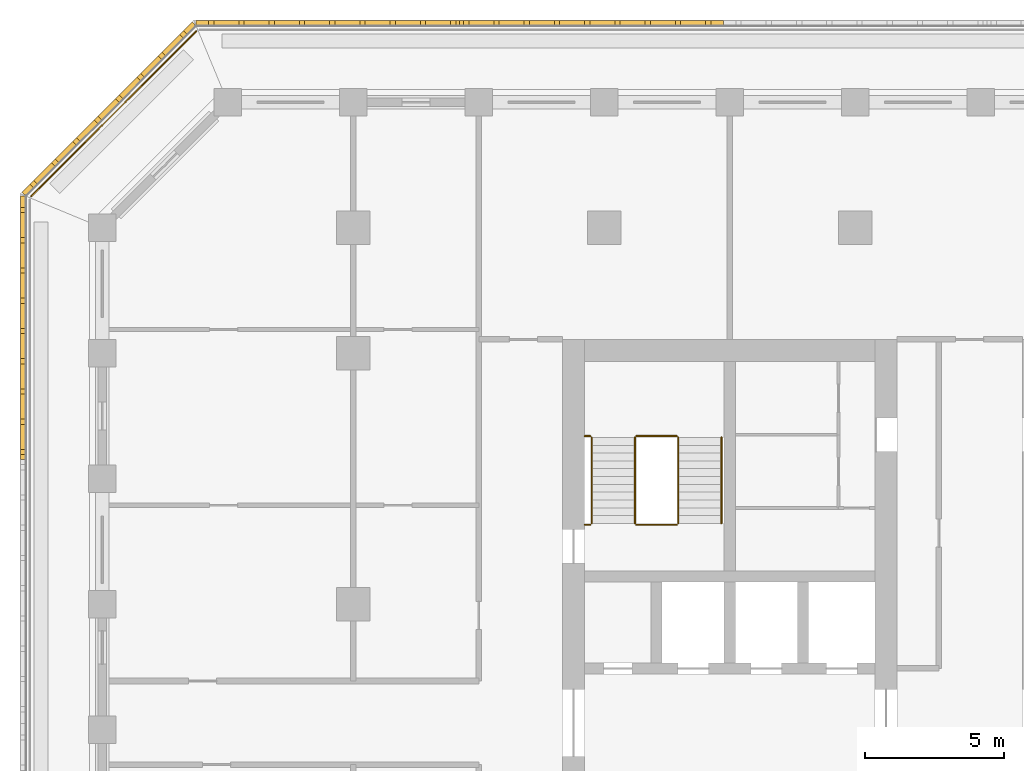
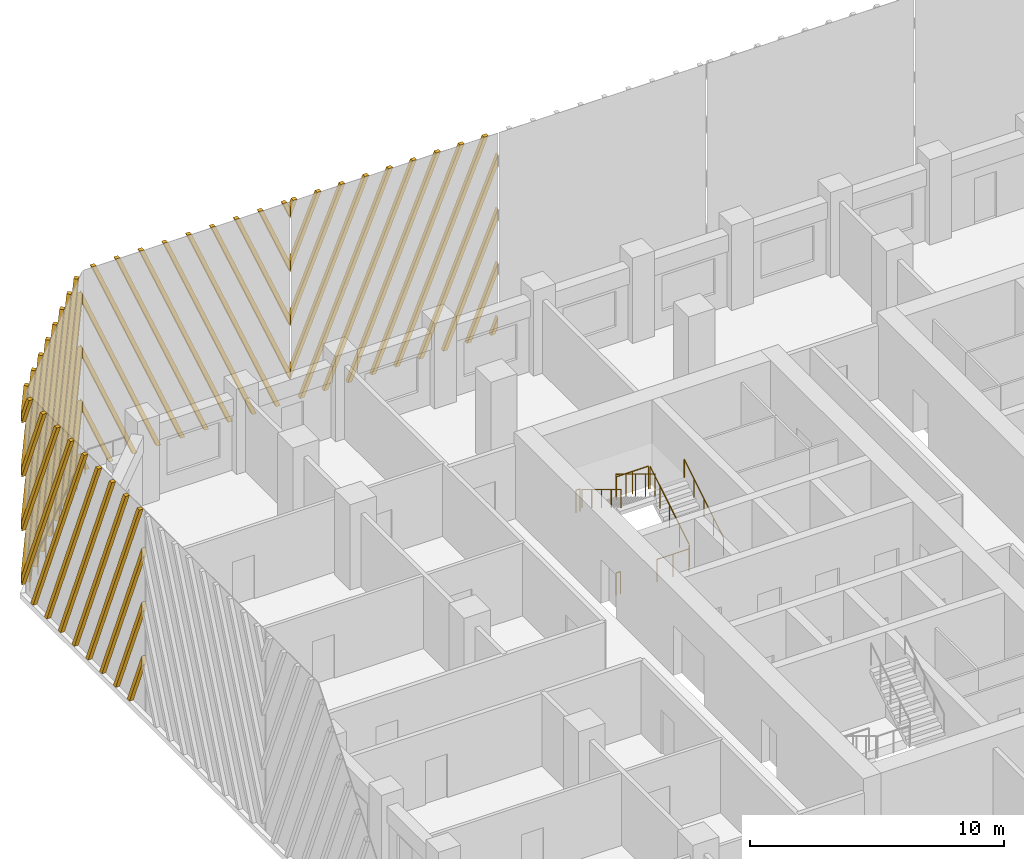
# One storey, part 15 of 18: 9 railings, 4 shading devices.
"""IFC4 building model written with IfcOpenShell, lengths in metres."""

import ifcopenshell
import ifcopenshell.guid

model = None  # the IFC model being written
_history = None  # IfcOwnerHistory: only IFC2X3 demands one
_inside = {}  # id of a spatial element -> (the spatial element, [elements in it])
_under = {}  # id of a project, library or spatial element -> (it, [spatial elements below it])
_declared = {}  # id of a project -> (the project, [libraries it declares])
_typed = {}  # id of a type object -> (the type object, [elements of that type])
_made_of = {}  # id of a material, layer set ... -> (it, [elements and type objects made of it])


def new_model(schema):
    """Start an empty IFC model of exactly this schema.

    Asked for "IFC4X3", IfcOpenShell would pick the latest addendum, in which some entities
    have other attributes; the version numbers below select the first issue.
    IFC2X3 requires an IfcOwnerHistory on every rooted entity: one is made here for all.
    """
    global model, _history
    if schema == "IFC4X3":
        model = ifcopenshell.file(schema_version=(4, 3, 0, 0))
    else:
        model = ifcopenshell.file(schema=schema)
    _inside.clear()
    _under.clear()
    _declared.clear()
    _typed.clear()
    _made_of.clear()
    _history = None
    if model.schema == "IFC2X3":
        org = make("IfcOrganization", Name="unknown")
        user = make(
            "IfcPersonAndOrganization",
            ThePerson=make("IfcPerson", FamilyName="unknown"),
            TheOrganization=org,
        )
        app = make(
            "IfcApplication",
            ApplicationDeveloper=org,
            Version="unknown",
            ApplicationFullName="unknown",
            ApplicationIdentifier="unknown",
        )
        _history = make(
            "IfcOwnerHistory",
            OwningUser=user,
            OwningApplication=app,
            ChangeAction="ADDED",
            CreationDate=0,
        )
    return model


def make(cls, **values):
    """One entity of the class cls with the attributes given. An attribute that is None is left unset."""
    return model.create_entity(
        cls, **{name: value for name, value in values.items() if value is not None}
    )


def rooted(cls, **values):
    """An entity with a GlobalId (a new one), such as an element, a storey or a relation."""
    return make(cls, GlobalId=ifcopenshell.guid.new(), OwnerHistory=_history, **values)


def si_unit(unit_type, name, prefix=None):
    """IfcSIUnit, for example si_unit("LENGTHUNIT", "METRE", prefix="MILLI")."""
    return make("IfcSIUnit", UnitType=unit_type, Prefix=prefix, Name=name)


def assignment(units):
    """IfcUnitAssignment: the units of a project."""
    return None if units is None else make("IfcUnitAssignment", Units=units)


def point(xyz):
    """IfcCartesianPoint."""
    return None if xyz is None else make("IfcCartesianPoint", Coordinates=xyz)


def direction(xyz):
    """IfcDirection."""
    return None if xyz is None else make("IfcDirection", DirectionRatios=xyz)


def frame(location, z_axis=None, x_axis=None):
    """IfcAxis2Placement3D, a coordinate frame: its origin and axes. An axis left out is left unset."""
    return make(
        "IfcAxis2Placement3D",
        Location=point(location),
        Axis=direction(z_axis),
        RefDirection=direction(x_axis),
    )


def frame_2d(location, x_axis=None):
    """IfcAxis2Placement2D, a coordinate frame in the plane: its origin and x axis."""
    return make(
        "IfcAxis2Placement2D", Location=point(location), RefDirection=direction(x_axis)
    )


def origin():
    """The frame at (0, 0, 0) with its axes left unset."""
    return frame((0.0, 0.0, 0.0))


def origin_2d():
    """The frame at (0, 0) in the plane with its x axis left unset."""
    return frame_2d((0.0, 0.0))


def place(relative_to, where):
    """IfcLocalPlacement: puts the frame where relative to a parent placement (None: the world)."""
    return make(
        "IfcLocalPlacement", PlacementRelTo=relative_to, RelativePlacement=where
    )


def context(
    kind, dimensions, precision=None, world=None, true_north=None, identifier=None
):
    """IfcGeometricRepresentationContext, for example the 3D "Model" context."""
    return make(
        "IfcGeometricRepresentationContext",
        ContextIdentifier=identifier,
        ContextType=kind,
        CoordinateSpaceDimension=dimensions,
        Precision=precision,
        WorldCoordinateSystem=world,
        TrueNorth=true_north,
    )


def subcontext(parent, identifier, kind, view, scale=None):
    """IfcGeometricRepresentationSubContext, for example "Body" below "Model"."""
    return make(
        "IfcGeometricRepresentationSubContext",
        ContextIdentifier=identifier,
        ContextType=kind,
        ParentContext=parent,
        TargetScale=scale,
        TargetView=view,
    )


def project(units=None, contexts=None):
    """IfcProject with its units and contexts."""
    return rooted(
        "IfcProject",
        Name="project",
        RepresentationContexts=contexts,
        UnitsInContext=assignment(units),
    )


def spatial(cls, under=None, at=None, **own):
    """A site, building, storey or space (cls), placed at a placement, below another one or the project."""
    s = rooted(cls, ObjectPlacement=at, **own)
    if under is not None:
        _under.setdefault(under.id(), (under, []))[1].append(s)
    return s


def polyline(points):
    """IfcPolyline through the points."""
    return make("IfcPolyline", Points=[point(p) for p in points])


def profile(cls, at=None, kind="AREA", **sizes):
    """A parametric profile (cls). Its sizes go by their IFC names, for example OverallWidth=200.0."""
    return make(cls, ProfileType=kind, Position=at, **sizes)


def circle(**sizes):
    """IfcCircleProfileDef."""
    return profile("IfcCircleProfileDef", **sizes)


def outline(outer, holes=None, kind="AREA"):
    """IfcArbitraryClosedProfileDef: a profile drawn as a closed curve; with holes, ...WithVoids."""
    if holes is None:
        return make("IfcArbitraryClosedProfileDef", ProfileType=kind, OuterCurve=outer)
    return make(
        "IfcArbitraryProfileDefWithVoids",
        ProfileType=kind,
        OuterCurve=outer,
        InnerCurves=holes,
    )


def extrude(swept, where, along, depth):
    """IfcExtrudedAreaSolid: the profile swept, set in the frame where, extruded along a direction by depth."""
    return make(
        "IfcExtrudedAreaSolid",
        SweptArea=swept,
        Position=where,
        ExtrudedDirection=direction(along),
        Depth=depth,
    )


def shape(context_of_items, identifier, shape_type, items):
    """IfcShapeRepresentation: the items that make up one representation, for example the "Body"."""
    return make(
        "IfcShapeRepresentation",
        ContextOfItems=context_of_items,
        RepresentationIdentifier=identifier,
        RepresentationType=shape_type,
        Items=items,
    )


def source(mapping_origin, context_of_items, identifier, shape_type, items):
    """IfcRepresentationMap: a shape defined once, which mapped items show again and again."""
    return make(
        "IfcRepresentationMap",
        MappingOrigin=mapping_origin,
        MappedRepresentation=shape(context_of_items, identifier, shape_type, items),
    )


def transform(
    local_origin,
    x_axis=None,
    y_axis=None,
    z_axis=None,
    scale=None,
    scale2=None,
    scale3=None,
    uniform=True,
):
    """IfcCartesianTransformationOperator3D, or its non-uniform kind. x_axis, y_axis, z_axis: its Axis1, 2, 3."""
    if uniform:
        return make(
            "IfcCartesianTransformationOperator3D",
            Axis1=direction(x_axis),
            Axis2=direction(y_axis),
            LocalOrigin=point(local_origin),
            Scale=scale,
            Axis3=direction(z_axis),
        )
    return make(
        "IfcCartesianTransformationOperator3DnonUniform",
        Axis1=direction(x_axis),
        Axis2=direction(y_axis),
        LocalOrigin=point(local_origin),
        Scale=scale,
        Axis3=direction(z_axis),
        Scale2=scale2,
        Scale3=scale3,
    )


def mapped(mapping_source, mapping_target):
    """IfcMappedItem: shows the shape of a source again, moved by a transform."""
    return make(
        "IfcMappedItem", MappingSource=mapping_source, MappingTarget=mapping_target
    )


def material(Name=None, Category=None):
    """IfcMaterial."""
    return make("IfcMaterial", Name=Name, Category=Category)


def made_of(thing, what):
    """Note that an element or type object is made of a material, layer set ...; save() writes the relation."""
    if what is not None:
        _made_of.setdefault(what.id(), (what, []))[1].append(thing)
    return thing


def type_object(cls, material=None, **own):
    """A type object (cls), such as IfcWallType, which elements share."""
    return made_of(rooted(cls, **own), material)


def element(
    cls,
    number,
    at=None,
    inside=None,
    cuts=None,
    type_object=None,
    material=None,
    context=None,
    identifier="Body",
    shape_type=None,
    held_by="IfcProductDefinitionShape",
    body=None,
    shapes=None,
    **own,
):
    """One element of the class cls, such as IfcWall. Its Tag is "e" and its number.

    at: its placement. inside: the storey or other place that contains it. cuts: it is an
    opening in that element (IfcRelVoidsElement). A single representation is given by context,
    identifier, shape_type and body (its items); several are given by shapes. held_by: the class
    of the entity that holds the representations. save() writes the other relations.
    """
    e = rooted(cls, Tag="e%d" % number, ObjectPlacement=at, **own)
    if body is not None:
        shapes = [shape(context, identifier, shape_type, body)]
    if shapes is not None:
        e.Representation = make(held_by, Representations=shapes)
    if inside is not None:
        _inside.setdefault(inside.id(), (inside, []))[1].append(e)
    if cuts is not None:
        rooted(
            "IfcRelVoidsElement", RelatingBuildingElement=cuts, RelatedOpeningElement=e
        )
    if type_object is not None:
        _typed.setdefault(type_object.id(), (type_object, []))[1].append(e)
    return made_of(e, material)


def aggregate(whole, parts):
    """IfcRelAggregates: a whole, such as a stair, and the parts it consists of."""
    return rooted("IfcRelAggregates", RelatingObject=whole, RelatedObjects=parts)


def save(model, path):
    """Write the relations noted so far, then the file.

    IfcRelAggregates (storeys below a building ...), IfcRelContainedInSpatialStructure (elements
    in a storey), IfcRelDefinesByType, IfcRelAssociatesMaterial and IfcRelDeclares: one each for
    every whole, place, type object, material and project.
    """
    for whole, parts in _under.values():
        aggregate(whole, parts)
    for where, things in _inside.values():
        rooted(
            "IfcRelContainedInSpatialStructure",
            RelatedElements=things,
            RelatingStructure=where,
        )
    for kind, things in _typed.values():
        rooted("IfcRelDefinesByType", RelatedObjects=things, RelatingType=kind)
    for what, things in _made_of.values():
        rooted("IfcRelAssociatesMaterial", RelatedObjects=things, RelatingMaterial=what)
    for by, libraries in _declared.values():
        rooted("IfcRelDeclares", RelatingContext=by, RelatedDefinitions=libraries)
    model.write(path)


model = new_model("IFC4")

# Units and contexts
model_context = context("Model", 3, precision=1e-05, world=origin(), true_north=direction((0.0, 1.0)))
body_context = subcontext(model_context, "Body", "Model", "MODEL_VIEW")
ifc_project = project(units=[si_unit("LENGTHUNIT", "METRE"), si_unit("AREAUNIT", "SQUARE_METRE"), si_unit("VOLUMEUNIT", "CUBIC_METRE"), si_unit("PLANEANGLEUNIT", "RADIAN"), si_unit("MASSUNIT", "GRAM", prefix="KILO")], contexts=[model_context])

# Site, building, storey
site_placement = place(None, origin())
site = spatial("IfcSite", under=ifc_project, at=site_placement, CompositionType="ELEMENT")
building_placement = place(site_placement, origin())
building = spatial("IfcBuilding", under=site, at=building_placement, Name="Corbel Stack Research Tower", CompositionType="ELEMENT")
storey_placement = place(building_placement, frame((0.0, 0.0, 181.39990234375)))
storey = spatial("IfcBuildingStorey", under=building, at=storey_placement, Name="L41", CompositionType="ELEMENT", Elevation=181.39990234375)

# Railings
ifc_material_1 = material(Name="Steel S355", Category="steel")
railing_type_1 = type_object("IfcRailingType", Name="Stair guard 1100", PredefinedType="GUARDRAIL", material=ifc_material_1)
railing_1_placement = place(storey_placement, frame((-6.35009765625, 11.89990234375, 0.1708984375)))
element("IfcRailing", 1, at=railing_1_placement, inside=storey, type_object=railing_type_1, Name="L41 ST-W2 stair guard 1", PredefinedType="GUARDRAIL", context=body_context, shape_type="SweptSolid", body=[
    extrude(circle(Radius=0.02392578125, at=origin_2d()), frame((0.0, 0.0, 1.076171875), z_axis=(0.0, 0.853666305674, 0.52082035152), x_axis=(-1.0, 0.0, 0.0)), (0.0, 0.0, 1.0), 3.608154296875),
    extrude(circle(Radius=0.02099609375, at=origin_2d()), origin(), (0.0, 0.0, 1.0), 1.052001953125),
    extrude(circle(Radius=0.02099609375, at=origin_2d()), frame((0.0, 0.77001953125, 0.4697265625)), (0.0, 0.0, 1.0), 1.052001953125),
    extrude(circle(Radius=0.02099609375, at=origin_2d()), frame((0.0, 1.5400390625, 0.939453125)), (0.0, 0.0, 1.0), 1.052001953125),
    extrude(circle(Radius=0.02099609375, at=origin_2d()), frame((0.0, 2.31005859375, 1.409423828125)), (0.0, 0.0, 1.0), 1.052001953125),
    extrude(circle(Radius=0.02099609375, at=origin_2d()), frame((0.0, 3.080078125, 1.879150390625)), (0.0, 0.0, 1.0), 1.052001953125),
])
railing_2_placement = place(storey_placement, frame((-6.39990234375, 15.030029296875, 2.050048828125)))
element("IfcRailing", 2, at=railing_2_placement, inside=storey, type_object=railing_type_1, Name="L41 ST-W2 stair guard 2", PredefinedType="GUARDRAIL", context=body_context, shape_type="SweptSolid", body=[
    extrude(circle(Radius=0.02392578125, at=origin_2d()), frame((0.0, 0.0, 1.076171875), z_axis=(-1.0, 0.0, 0.0), x_axis=(0.0, -1.0, 0.0)), (0.0, 0.0, 1.0), 1.4501953125),
    extrude(circle(Radius=0.02099609375, at=origin_2d()), origin(), (0.0, 0.0, 1.0), 1.052001953125),
    extrude(circle(Radius=0.02099609375, at=origin_2d()), frame((-0.72509765625, 0.0, 0.0)), (0.0, 0.0, 1.0), 1.052001953125),
    extrude(circle(Radius=0.02099609375, at=origin_2d()), frame((-1.4501953125, 0.0, 0.0)), (0.0, 0.0, 1.0), 1.052001953125),
])
railing_3_placement = place(storey_placement, frame((-9.5, 15.030029296875, 2.050048828125)))
element("IfcRailing", 3, at=railing_3_placement, inside=storey, type_object=railing_type_1, Name="L41 ST-W2 stair guard 3", PredefinedType="GUARDRAIL", context=body_context, shape_type="SweptSolid", body=[
    extrude(circle(Radius=0.02392578125, at=origin_2d()), frame((0.0, 0.0, 1.076171875), z_axis=(-1.0, 0.0, 0.0), x_axis=(0.0, -1.0, 0.0)), (0.0, 0.0, 1.0), 0.199951171875),
    extrude(circle(Radius=0.02099609375, at=origin_2d()), origin(), (0.0, 0.0, 1.0), 1.052001953125),
    extrude(circle(Radius=0.02099609375, at=origin_2d()), frame((-0.199951171875, 0.0, 0.0)), (0.0, 0.0, 1.0), 1.052001953125),
])
railing_4_placement = place(storey_placement, frame((-7.89990234375, 14.97998046875, 2.220947265625)))
element("IfcRailing", 4, at=railing_4_placement, inside=storey, type_object=railing_type_1, Name="L41 ST-W2 stair guard 4", PredefinedType="GUARDRAIL", context=body_context, shape_type="SweptSolid", body=[
    extrude(circle(Radius=0.02392578125, at=origin_2d()), frame((0.0, 0.0, 1.076171875), z_axis=(0.0, -0.853666305674, 0.52082035152), x_axis=(1.0, 0.0, 0.0)), (0.0, 0.0, 1.0), 3.608154296875),
    extrude(circle(Radius=0.02099609375, at=origin_2d()), origin(), (0.0, 0.0, 1.0), 1.052001953125),
    extrude(circle(Radius=0.02099609375, at=origin_2d()), frame((0.0, -0.77001953125, 0.4697265625)), (0.0, 0.0, 1.0), 1.052001953125),
    extrude(circle(Radius=0.02099609375, at=origin_2d()), frame((0.0, -1.5400390625, 0.939453125)), (0.0, 0.0, 1.0), 1.052001953125),
    extrude(circle(Radius=0.02099609375, at=origin_2d()), frame((0.0, -2.31005859375, 1.409423828125)), (0.0, 0.0, 1.0), 1.052001953125),
    extrude(circle(Radius=0.02099609375, at=origin_2d()), frame((0.0, -3.080078125, 1.879150390625)), (0.0, 0.0, 1.0), 1.052001953125),
])
railing_5_placement = place(storey_placement, frame((-6.39990234375, 11.85009765625, 0.0)))
element("IfcRailing", 5, at=railing_5_placement, inside=storey, type_object=railing_type_1, Name="L41 ST-W2 stair guard 5", PredefinedType="GUARDRAIL", context=body_context, shape_type="SweptSolid", body=[
    extrude(circle(Radius=0.02392578125, at=origin_2d()), frame((0.0, 0.0, 1.076171875), z_axis=(-1.0, 0.0, 0.0), x_axis=(0.0, -1.0, 0.0)), (0.0, 0.0, 1.0), 1.4501953125),
    extrude(circle(Radius=0.02099609375, at=origin_2d()), origin(), (0.0, 0.0, 1.0), 1.052001953125),
    extrude(circle(Radius=0.02099609375, at=origin_2d()), frame((-0.72509765625, 0.0, 0.0)), (0.0, 0.0, 1.0), 1.052001953125),
    extrude(circle(Radius=0.02099609375, at=origin_2d()), frame((-1.4501953125, 0.0, 0.0)), (0.0, 0.0, 1.0), 1.052001953125),
])
railing_6_placement = place(storey_placement, frame((-9.5, 11.85009765625, 0.0)))
element("IfcRailing", 6, at=railing_6_placement, inside=storey, type_object=railing_type_1, Name="L41 ST-W2 stair guard 6", PredefinedType="GUARDRAIL", context=body_context, shape_type="SweptSolid", body=[
    extrude(circle(Radius=0.02392578125, at=origin_2d()), frame((0.0, 0.0, 1.076171875), z_axis=(-1.0, 0.0, 0.0), x_axis=(0.0, -1.0, 0.0)), (0.0, 0.0, 1.0), 0.199951171875),
    extrude(circle(Radius=0.02099609375, at=origin_2d()), origin(), (0.0, 0.0, 1.0), 1.052001953125),
    extrude(circle(Radius=0.02099609375, at=origin_2d()), frame((-0.199951171875, 0.0, 0.0)), (0.0, 0.0, 1.0), 1.052001953125),
])
ifc_material_2 = material(Name="Steel S355", Category="steel")
railing_type_2 = type_object("IfcRailingType", Name="Stair handrail 900", PredefinedType="HANDRAIL", material=ifc_material_2)
railing_7_placement = place(storey_placement, frame((-4.800048828125, 11.89990234375, 0.1708984375)))
element("IfcRailing", 7, at=railing_7_placement, inside=storey, type_object=railing_type_2, Name="L41 ST-W2 stair handrail 1", PredefinedType="HANDRAIL", context=body_context, shape_type="SweptSolid", body=[
    extrude(circle(Radius=0.02392578125, at=origin_2d()), frame((0.0, 0.0, 0.8759765625), z_axis=(0.0, 0.853666305674, 0.52082035152), x_axis=(-1.0, 0.0, 0.0)), (0.0, 0.0, 1.0), 3.608154296875),
    extrude(circle(Radius=0.02099609375, at=origin_2d()), origin(), (0.0, 0.0, 1.0), 0.851806640625),
    extrude(circle(Radius=0.02099609375, at=origin_2d()), frame((0.0, 0.77001953125, 0.4697265625)), (0.0, 0.0, 1.0), 0.851806640625),
    extrude(circle(Radius=0.02099609375, at=origin_2d()), frame((0.0, 1.5400390625, 0.939453125)), (0.0, 0.0, 1.0), 0.851806640625),
    extrude(circle(Radius=0.02099609375, at=origin_2d()), frame((0.0, 2.31005859375, 1.409423828125)), (0.0, 0.0, 1.0), 0.851806640625),
    extrude(circle(Radius=0.02099609375, at=origin_2d()), frame((0.0, 3.080078125, 1.879150390625)), (0.0, 0.0, 1.0), 0.851806640625),
])
railing_8_placement = place(storey_placement, frame((-9.449951171875, 14.97998046875, 2.220947265625)))
element("IfcRailing", 8, at=railing_8_placement, inside=storey, type_object=railing_type_2, Name="L41 ST-W2 stair handrail 2", PredefinedType="HANDRAIL", context=body_context, shape_type="SweptSolid", body=[
    extrude(circle(Radius=0.02392578125, at=origin_2d()), frame((0.0, 0.0, 0.8759765625), z_axis=(0.0, -0.853666305674, 0.52082035152), x_axis=(1.0, 0.0, 0.0)), (0.0, 0.0, 1.0), 3.608154296875),
    extrude(circle(Radius=0.02099609375, at=origin_2d()), origin(), (0.0, 0.0, 1.0), 0.851806640625),
    extrude(circle(Radius=0.02099609375, at=origin_2d()), frame((0.0, -0.77001953125, 0.4697265625)), (0.0, 0.0, 1.0), 0.851806640625),
    extrude(circle(Radius=0.02099609375, at=origin_2d()), frame((0.0, -1.5400390625, 0.939453125)), (0.0, 0.0, 1.0), 0.851806640625),
    extrude(circle(Radius=0.02099609375, at=origin_2d()), frame((0.0, -2.31005859375, 1.409423828125)), (0.0, 0.0, 1.0), 0.851806640625),
    extrude(circle(Radius=0.02099609375, at=origin_2d()), frame((0.0, -3.080078125, 1.879150390625)), (0.0, 0.0, 1.0), 0.851806640625),
])
ifc_material_3 = material(Name="Powder-coated steel guard", Category="steel")
railing_type_3 = type_object("IfcRailingType", Name="Steel and glass guard 1100", PredefinedType="GUARDRAIL", material=ifc_material_3)
railing_9_placement = place(storey_placement, frame((-23.627685546875, 29.54931640625, 0.0)))
element("IfcRailing", 9, at=railing_9_placement, inside=storey, type_object=railing_type_3, Name="Loggia guard L41 NW", PredefinedType="GUARDRAIL", context=body_context, shape_type="SweptSolid", body=[
    extrude(circle(Radius=0.02392578125, at=origin_2d()), frame((0.0, 0.0, 1.076171875), z_axis=(-0.707106781187, -0.707106781187, 0.0), x_axis=(0.707106781187, -0.707106781187, 0.0)), (0.0, 0.0, 1.0), 8.37451171875),
    extrude(circle(Radius=0.02099609375, at=origin_2d()), origin(), (0.0, 0.0, 1.0), 1.052001953125),
    extrude(circle(Radius=0.02099609375, at=origin_2d()), frame((-0.845947265625, -0.845947265625, 0.0)), (0.0, 0.0, 1.0), 1.052001953125),
    extrude(circle(Radius=0.02099609375, at=origin_2d()), frame((-1.69189453125, -1.69189453125, 0.0)), (0.0, 0.0, 1.0), 1.052001953125),
    extrude(circle(Radius=0.02099609375, at=origin_2d()), frame((-2.537841796875, -2.537841796875, 0.0)), (0.0, 0.0, 1.0), 1.052001953125),
    extrude(circle(Radius=0.02099609375, at=origin_2d()), frame((-3.3837890625, -3.3837890625, 0.0)), (0.0, 0.0, 1.0), 1.052001953125),
    extrude(circle(Radius=0.02099609375, at=origin_2d()), frame((-4.229736328125, -4.229736328125, 0.0)), (0.0, 0.0, 1.0), 1.052001953125),
    extrude(circle(Radius=0.02099609375, at=origin_2d()), frame((-5.07568359375, -5.07568359375, 0.0)), (0.0, 0.0, 1.0), 1.052001953125),
    extrude(circle(Radius=0.02099609375, at=origin_2d()), frame((-5.921630859375, -5.921630859375, 0.0)), (0.0, 0.0, 1.0), 1.052001953125),
])

# Shading devices
ifc_material_4 = material(Name="Precast terracotta", Category="masonry")
shading_device_type = type_object("IfcShadingDeviceType", Name="Terracotta screen panel", PredefinedType="USERDEFINED", material=ifc_material_4)
shared_shape_1 = source(origin(), body_context, "Body", "SweptSolid", [
    extrude(outline(polyline([(0.328857421875, 9.64990234375), (0.138916015625, 9.64990234375), (0.0, 9.317626953125), (0.0, 8.862548828125), (0.328857421875, 9.64990234375)])), frame((0.0, 0.0, 0.0), z_axis=(0.0, -1.0, 0.0), x_axis=(1.0, 0.0, 0.0)), (0.0, 0.0, 1.0), 0.179931640625),
    extrude(outline(polyline([(1.41357421875, 9.64990234375), (1.223388671875, 9.64990234375), (0.0, 6.720458984375), (0.0, 6.265380859375), (1.41357421875, 9.64990234375)])), frame((0.0, 0.0, 0.0), z_axis=(0.0, -1.0, 0.0), x_axis=(1.0, 0.0, 0.0)), (0.0, 0.0, 1.0), 0.179931640625),
    extrude(outline(polyline([(2.498291015625, 9.64990234375), (2.30810546875, 9.64990234375), (0.0, 4.123291015625), (0.0, 3.668212890625), (2.498291015625, 9.64990234375)])), frame((0.0, 0.0, 0.0), z_axis=(0.0, -1.0, 0.0), x_axis=(1.0, 0.0, 0.0)), (0.0, 0.0, 1.0), 0.179931640625),
    extrude(outline(polyline([(3.582763671875, 9.64990234375), (3.392822265625, 9.64990234375), (0.0, 1.526123046875), (0.0, 1.071044921875), (3.582763671875, 9.64990234375)])), frame((0.0, 0.0, 0.0), z_axis=(0.0, -1.0, 0.0), x_axis=(1.0, 0.0, 0.0)), (0.0, 0.0, 1.0), 0.179931640625),
    extrude(outline(polyline([(0.63720703125, 0.0), (4.66748046875, 9.64990234375), (4.4775390625, 9.64990234375), (0.447265625, 0.0), (0.63720703125, 0.0)])), frame((0.0, 0.0, 0.0), z_axis=(0.0, -1.0, 0.0), x_axis=(1.0, 0.0, 0.0)), (0.0, 0.0, 1.0), 0.179931640625),
    extrude(outline(polyline([(1.721923828125, 0.0), (5.752197265625, 9.64990234375), (5.562255859375, 9.64990234375), (1.531982421875, 0.0), (1.721923828125, 0.0)])), frame((0.0, 0.0, 0.0), z_axis=(0.0, -1.0, 0.0), x_axis=(1.0, 0.0, 0.0)), (0.0, 0.0, 1.0), 0.179931640625),
    extrude(outline(polyline([(2.806640625, 0.0), (6.8369140625, 9.64990234375), (6.646728515625, 9.64990234375), (2.61669921875, 0.0), (2.806640625, 0.0)])), frame((0.0, 0.0, 0.0), z_axis=(0.0, -1.0, 0.0), x_axis=(1.0, 0.0, 0.0)), (0.0, 0.0, 1.0), 0.179931640625),
    extrude(outline(polyline([(3.891357421875, 0.0), (7.92138671875, 9.64990234375), (7.7314453125, 9.64990234375), (3.701416015625, 0.0), (3.891357421875, 0.0)])), frame((0.0, 0.0, 0.0), z_axis=(0.0, -1.0, 0.0), x_axis=(1.0, 0.0, 0.0)), (0.0, 0.0, 1.0), 0.179931640625),
    extrude(outline(polyline([(4.97607421875, 0.0), (9.006103515625, 9.64990234375), (8.816162109375, 9.64990234375), (4.785888671875, 0.0), (4.97607421875, 0.0)])), frame((0.0, 0.0, 0.0), z_axis=(0.0, -1.0, 0.0), x_axis=(1.0, 0.0, 0.0)), (0.0, 0.0, 1.0), 0.179931640625),
    extrude(outline(polyline([(6.060791015625, 0.0), (9.45556640625, 8.129150390625), (9.45556640625, 8.583984375), (5.87060546875, 0.0), (6.060791015625, 0.0)])), frame((0.0, 0.0, 0.0), z_axis=(0.0, -1.0, 0.0), x_axis=(1.0, 0.0, 0.0)), (0.0, 0.0, 1.0), 0.179931640625),
    extrude(outline(polyline([(7.145263671875, 0.0), (9.45556640625, 5.531982421875), (9.45556640625, 5.98681640625), (6.955322265625, 0.0), (7.145263671875, 0.0)])), frame((0.0, 0.0, 0.0), z_axis=(0.0, -1.0, 0.0), x_axis=(1.0, 0.0, 0.0)), (0.0, 0.0, 1.0), 0.179931640625),
    extrude(outline(polyline([(8.22998046875, 0.0), (9.45556640625, 2.934814453125), (9.45556640625, 3.3896484375), (8.0400390625, 0.0), (8.22998046875, 0.0)])), frame((0.0, 0.0, 0.0), z_axis=(0.0, -1.0, 0.0), x_axis=(1.0, 0.0, 0.0)), (0.0, 0.0, 1.0), 0.179931640625),
    extrude(outline(polyline([(9.314697265625, 0.0), (9.45556640625, 0.337646484375), (9.45556640625, 0.79248046875), (9.124755859375, 0.0), (9.314697265625, 0.0)])), frame((0.0, 0.0, 0.0), z_axis=(0.0, -1.0, 0.0), x_axis=(1.0, 0.0, 0.0)), (0.0, 0.0, 1.0), 0.179931640625),
])
shading_device_1_placement = place(storey_placement, frame((-14.18359375, 29.75, 0.0), z_axis=(0.0, 0.0, 1.0), x_axis=(-1.0, 0.0, 0.0)))
element("IfcShadingDevice", 10, at=shading_device_1_placement, inside=storey, type_object=shading_device_type, Name="Terracotta screen L41 N5", ObjectType="SCREEN", PredefinedType="USERDEFINED", context=body_context, shape_type="MappedRepresentation", body=[
    mapped(shared_shape_1, transform((0.0, 0.0, 0.0))),
])
shared_shape_2 = source(origin(), body_context, "Body", "SweptSolid", [
    extrude(outline(polyline([(0.3310546875, 0.0), (0.0, 0.79248046875), (0.0, 0.337646484375), (0.14111328125, 0.0), (0.3310546875, 0.0)])), frame((0.0, 0.0, 0.0), z_axis=(0.0, -1.0, 0.0), x_axis=(1.0, 0.0, 0.0)), (0.0, 0.0, 1.0), 0.179931640625),
    extrude(outline(polyline([(1.41552734375, 0.0), (0.0, 3.3896484375), (0.0, 2.934814453125), (1.2255859375, 0.0), (1.41552734375, 0.0)])), frame((0.0, 0.0, 0.0), z_axis=(0.0, -1.0, 0.0), x_axis=(1.0, 0.0, 0.0)), (0.0, 0.0, 1.0), 0.179931640625),
    extrude(outline(polyline([(2.500244140625, 0.0), (0.0, 5.98681640625), (0.0, 5.531982421875), (2.310302734375, 0.0), (2.500244140625, 0.0)])), frame((0.0, 0.0, 0.0), z_axis=(0.0, -1.0, 0.0), x_axis=(1.0, 0.0, 0.0)), (0.0, 0.0, 1.0), 0.179931640625),
    extrude(outline(polyline([(3.5849609375, 0.0), (0.0, 8.583984375), (0.0, 8.129150390625), (3.39501953125, 0.0), (3.5849609375, 0.0)])), frame((0.0, 0.0, 0.0), z_axis=(0.0, -1.0, 0.0), x_axis=(1.0, 0.0, 0.0)), (0.0, 0.0, 1.0), 0.179931640625),
    extrude(outline(polyline([(4.669677734375, 0.0), (0.639404296875, 9.64990234375), (0.449462890625, 9.64990234375), (4.4794921875, 0.0), (4.669677734375, 0.0)])), frame((0.0, 0.0, 0.0), z_axis=(0.0, -1.0, 0.0), x_axis=(1.0, 0.0, 0.0)), (0.0, 0.0, 1.0), 0.179931640625),
    extrude(outline(polyline([(5.75439453125, 0.0), (1.72412109375, 9.64990234375), (1.5341796875, 9.64990234375), (5.564208984375, 0.0), (5.75439453125, 0.0)])), frame((0.0, 0.0, 0.0), z_axis=(0.0, -1.0, 0.0), x_axis=(1.0, 0.0, 0.0)), (0.0, 0.0, 1.0), 0.179931640625),
    extrude(outline(polyline([(6.839111328125, 0.0), (2.808837890625, 9.64990234375), (2.618896484375, 9.64990234375), (6.64892578125, 0.0), (6.839111328125, 0.0)])), frame((0.0, 0.0, 0.0), z_axis=(0.0, -1.0, 0.0), x_axis=(1.0, 0.0, 0.0)), (0.0, 0.0, 1.0), 0.179931640625),
    extrude(outline(polyline([(7.923583984375, 0.0), (3.8935546875, 9.64990234375), (3.70361328125, 9.64990234375), (7.733642578125, 0.0), (7.923583984375, 0.0)])), frame((0.0, 0.0, 0.0), z_axis=(0.0, -1.0, 0.0), x_axis=(1.0, 0.0, 0.0)), (0.0, 0.0, 1.0), 0.179931640625),
    extrude(outline(polyline([(9.00830078125, 0.0), (4.97802734375, 9.64990234375), (4.7880859375, 9.64990234375), (8.818359375, 0.0), (9.00830078125, 0.0)])), frame((0.0, 0.0, 0.0), z_axis=(0.0, -1.0, 0.0), x_axis=(1.0, 0.0, 0.0)), (0.0, 0.0, 1.0), 0.179931640625),
    extrude(outline(polyline([(6.062744140625, 9.64990234375), (5.872802734375, 9.64990234375), (9.45556640625, 1.071044921875), (9.45556640625, 1.526123046875), (6.062744140625, 9.64990234375)])), frame((0.0, 0.0, 0.0), z_axis=(0.0, -1.0, 0.0), x_axis=(1.0, 0.0, 0.0)), (0.0, 0.0, 1.0), 0.179931640625),
    extrude(outline(polyline([(7.1474609375, 9.64990234375), (6.95751953125, 9.64990234375), (9.45556640625, 3.668212890625), (9.45556640625, 4.123291015625), (7.1474609375, 9.64990234375)])), frame((0.0, 0.0, 0.0), z_axis=(0.0, -1.0, 0.0), x_axis=(1.0, 0.0, 0.0)), (0.0, 0.0, 1.0), 0.179931640625),
    extrude(outline(polyline([(8.232177734375, 9.64990234375), (8.0419921875, 9.64990234375), (9.45556640625, 6.265380859375), (9.45556640625, 6.720458984375), (8.232177734375, 9.64990234375)])), frame((0.0, 0.0, 0.0), z_axis=(0.0, -1.0, 0.0), x_axis=(1.0, 0.0, 0.0)), (0.0, 0.0, 1.0), 0.179931640625),
    extrude(outline(polyline([(9.31689453125, 9.64990234375), (9.126708984375, 9.64990234375), (9.45556640625, 8.862548828125), (9.45556640625, 9.317626953125), (9.31689453125, 9.64990234375)])), frame((0.0, 0.0, 0.0), z_axis=(0.0, -1.0, 0.0), x_axis=(1.0, 0.0, 0.0)), (0.0, 0.0, 1.0), 0.179931640625),
])
shading_device_2_placement = place(storey_placement, frame((-4.727783203125, 29.75, 0.0), z_axis=(0.0, 0.0, 1.0), x_axis=(-1.0, 0.0, 0.0)))
element("IfcShadingDevice", 11, at=shading_device_2_placement, inside=storey, type_object=shading_device_type, Name="Terracotta screen L41 N4", ObjectType="SCREEN", PredefinedType="USERDEFINED", context=body_context, shape_type="MappedRepresentation", body=[
    mapped(shared_shape_2, transform((0.0, 0.0, 0.0))),
])
shared_shape_3 = source(origin(), body_context, "Body", "SweptSolid", [
    extrude(outline(polyline([(0.3310546875, 0.0), (0.0, 0.79248046875), (0.0, 0.337646484375), (0.14111328125, 0.0), (0.3310546875, 0.0)])), frame((0.0, 0.0, 0.0), z_axis=(0.0, -1.0, 0.0), x_axis=(1.0, 0.0, 0.0)), (0.0, 0.0, 1.0), 0.179931640625),
    extrude(outline(polyline([(1.41552734375, 0.0), (0.0, 3.3896484375), (0.0, 2.934814453125), (1.2255859375, 0.0), (1.41552734375, 0.0)])), frame((0.0, 0.0, 0.0), z_axis=(0.0, -1.0, 0.0), x_axis=(1.0, 0.0, 0.0)), (0.0, 0.0, 1.0), 0.179931640625),
    extrude(outline(polyline([(2.500244140625, 0.0), (0.0, 5.98681640625), (0.0, 5.531982421875), (2.310302734375, 0.0), (2.500244140625, 0.0)])), frame((0.0, 0.0, 0.0), z_axis=(0.0, -1.0, 0.0), x_axis=(1.0, 0.0, 0.0)), (0.0, 0.0, 1.0), 0.179931640625),
    extrude(outline(polyline([(3.5849609375, 0.0), (0.0, 8.583984375), (0.0, 8.129150390625), (3.39501953125, 0.0), (3.5849609375, 0.0)])), frame((0.0, 0.0, 0.0), z_axis=(0.0, -1.0, 0.0), x_axis=(1.0, 0.0, 0.0)), (0.0, 0.0, 1.0), 0.179931640625),
    extrude(outline(polyline([(4.669677734375, 0.0), (0.639404296875, 9.64990234375), (0.449462890625, 9.64990234375), (4.4794921875, 0.0), (4.669677734375, 0.0)])), frame((0.0, 0.0, 0.0), z_axis=(0.0, -1.0, 0.0), x_axis=(1.0, 0.0, 0.0)), (0.0, 0.0, 1.0), 0.179931640625),
    extrude(outline(polyline([(5.75439453125, 0.0), (1.72412109375, 9.64990234375), (1.5341796875, 9.64990234375), (5.564208984375, 0.0), (5.75439453125, 0.0)])), frame((0.0, 0.0, 0.0), z_axis=(0.0, -1.0, 0.0), x_axis=(1.0, 0.0, 0.0)), (0.0, 0.0, 1.0), 0.179931640625),
    extrude(outline(polyline([(6.839111328125, 0.0), (2.808837890625, 9.64990234375), (2.618896484375, 9.64990234375), (6.64892578125, 0.0), (6.839111328125, 0.0)])), frame((0.0, 0.0, 0.0), z_axis=(0.0, -1.0, 0.0), x_axis=(1.0, 0.0, 0.0)), (0.0, 0.0, 1.0), 0.179931640625),
    extrude(outline(polyline([(7.923583984375, 0.0), (3.8935546875, 9.64990234375), (3.70361328125, 9.64990234375), (7.733642578125, 0.0), (7.923583984375, 0.0)])), frame((0.0, 0.0, 0.0), z_axis=(0.0, -1.0, 0.0), x_axis=(1.0, 0.0, 0.0)), (0.0, 0.0, 1.0), 0.179931640625),
    extrude(outline(polyline([(4.97802734375, 9.64990234375), (4.7880859375, 9.64990234375), (8.64208984375, 0.421875), (8.64208984375, 0.876708984375), (4.97802734375, 9.64990234375)])), frame((0.0, 0.0, 0.0), z_axis=(0.0, -1.0, 0.0), x_axis=(1.0, 0.0, 0.0)), (0.0, 0.0, 1.0), 0.179931640625),
    extrude(outline(polyline([(6.062744140625, 9.64990234375), (5.872802734375, 9.64990234375), (8.64208984375, 3.01904296875), (8.64208984375, 3.473876953125), (6.062744140625, 9.64990234375)])), frame((0.0, 0.0, 0.0), z_axis=(0.0, -1.0, 0.0), x_axis=(1.0, 0.0, 0.0)), (0.0, 0.0, 1.0), 0.179931640625),
    extrude(outline(polyline([(7.1474609375, 9.64990234375), (6.95751953125, 9.64990234375), (8.64208984375, 5.6162109375), (8.64208984375, 6.071044921875), (7.1474609375, 9.64990234375)])), frame((0.0, 0.0, 0.0), z_axis=(0.0, -1.0, 0.0), x_axis=(1.0, 0.0, 0.0)), (0.0, 0.0, 1.0), 0.179931640625),
    extrude(outline(polyline([(8.232177734375, 9.64990234375), (8.0419921875, 9.64990234375), (8.64208984375, 8.21337890625), (8.64208984375, 8.668212890625), (8.232177734375, 9.64990234375)])), frame((0.0, 0.0, 0.0), z_axis=(0.0, -1.0, 0.0), x_axis=(1.0, 0.0, 0.0)), (0.0, 0.0, 1.0), 0.179931640625),
])
shading_device_3_placement = place(storey_placement, frame((-23.63916015625, 29.75, 0.0), z_axis=(0.0, 0.0, 1.0), x_axis=(-0.707106781187, -0.707106781187, 0.0)))
element("IfcShadingDevice", 12, at=shading_device_3_placement, inside=storey, type_object=shading_device_type, Name="Terracotta screen L41 NW1", ObjectType="SCREEN", PredefinedType="USERDEFINED", context=body_context, shape_type="MappedRepresentation", body=[
    mapped(shared_shape_3, transform((0.0, 0.0, 0.0))),
])
shared_shape_4 = source(origin(), body_context, "Body", "SweptSolid", [
    extrude(outline(polyline([(0.60009765625, 9.64990234375), (0.409912109375, 9.64990234375), (0.0, 8.668212890625), (0.0, 8.21337890625), (0.60009765625, 9.64990234375)])), frame((0.0, 0.0, 0.0), z_axis=(0.0, -1.0, 0.0), x_axis=(1.0, 0.0, 0.0)), (0.0, 0.0, 1.0), 0.179931640625),
    extrude(outline(polyline([(1.684814453125, 9.64990234375), (1.49462890625, 9.64990234375), (0.0, 6.071044921875), (0.0, 5.6162109375), (1.684814453125, 9.64990234375)])), frame((0.0, 0.0, 0.0), z_axis=(0.0, -1.0, 0.0), x_axis=(1.0, 0.0, 0.0)), (0.0, 0.0, 1.0), 0.179931640625),
    extrude(outline(polyline([(2.769287109375, 9.64990234375), (2.579345703125, 9.64990234375), (0.0, 3.473876953125), (0.0, 3.01904296875), (2.769287109375, 9.64990234375)])), frame((0.0, 0.0, 0.0), z_axis=(0.0, -1.0, 0.0), x_axis=(1.0, 0.0, 0.0)), (0.0, 0.0, 1.0), 0.179931640625),
    extrude(outline(polyline([(3.85400390625, 9.64990234375), (3.6640625, 9.64990234375), (0.0, 0.876708984375), (0.0, 0.421875), (3.85400390625, 9.64990234375)])), frame((0.0, 0.0, 0.0), z_axis=(0.0, -1.0, 0.0), x_axis=(1.0, 0.0, 0.0)), (0.0, 0.0, 1.0), 0.179931640625),
    extrude(outline(polyline([(0.908447265625, 0.0), (4.938720703125, 9.64990234375), (4.748779296875, 9.64990234375), (0.718505859375, 0.0), (0.908447265625, 0.0)])), frame((0.0, 0.0, 0.0), z_axis=(0.0, -1.0, 0.0), x_axis=(1.0, 0.0, 0.0)), (0.0, 0.0, 1.0), 0.179931640625),
    extrude(outline(polyline([(1.9931640625, 0.0), (6.023193359375, 9.64990234375), (5.833251953125, 9.64990234375), (1.80322265625, 0.0), (1.9931640625, 0.0)])), frame((0.0, 0.0, 0.0), z_axis=(0.0, -1.0, 0.0), x_axis=(1.0, 0.0, 0.0)), (0.0, 0.0, 1.0), 0.179931640625),
    extrude(outline(polyline([(3.077880859375, 0.0), (7.10791015625, 9.64990234375), (6.91796875, 9.64990234375), (2.8876953125, 0.0), (3.077880859375, 0.0)])), frame((0.0, 0.0, 0.0), z_axis=(0.0, -1.0, 0.0), x_axis=(1.0, 0.0, 0.0)), (0.0, 0.0, 1.0), 0.179931640625),
    extrude(outline(polyline([(4.16259765625, 0.0), (8.192626953125, 9.64990234375), (8.002685546875, 9.64990234375), (3.972412109375, 0.0), (4.16259765625, 0.0)])), frame((0.0, 0.0, 0.0), z_axis=(0.0, -1.0, 0.0), x_axis=(1.0, 0.0, 0.0)), (0.0, 0.0, 1.0), 0.179931640625),
    extrude(outline(polyline([(5.247314453125, 0.0), (9.27734375, 9.64990234375), (9.08740234375, 9.64990234375), (5.05712890625, 0.0), (5.247314453125, 0.0)])), frame((0.0, 0.0, 0.0), z_axis=(0.0, -1.0, 0.0), x_axis=(1.0, 0.0, 0.0)), (0.0, 0.0, 1.0), 0.179931640625),
    extrude(outline(polyline([(6.331787109375, 0.0), (9.45556640625, 7.479736328125), (9.45556640625, 7.934814453125), (6.141845703125, 0.0), (6.331787109375, 0.0)])), frame((0.0, 0.0, 0.0), z_axis=(0.0, -1.0, 0.0), x_axis=(1.0, 0.0, 0.0)), (0.0, 0.0, 1.0), 0.179931640625),
    extrude(outline(polyline([(7.41650390625, 0.0), (9.45556640625, 4.882568359375), (9.45556640625, 5.337646484375), (7.2265625, 0.0), (7.41650390625, 0.0)])), frame((0.0, 0.0, 0.0), z_axis=(0.0, -1.0, 0.0), x_axis=(1.0, 0.0, 0.0)), (0.0, 0.0, 1.0), 0.179931640625),
    extrude(outline(polyline([(8.501220703125, 0.0), (9.45556640625, 2.285400390625), (9.45556640625, 2.740478515625), (8.311279296875, 0.0), (8.501220703125, 0.0)])), frame((0.0, 0.0, 0.0), z_axis=(0.0, -1.0, 0.0), x_axis=(1.0, 0.0, 0.0)), (0.0, 0.0, 1.0), 0.179931640625),
])
shading_device_4_placement = place(storey_placement, frame((-29.75, 23.63916015625, 0.0), z_axis=(0.0, 0.0, 1.0), x_axis=(0.0, -1.0, 0.0)))
element("IfcShadingDevice", 13, at=shading_device_4_placement, inside=storey, type_object=shading_device_type, Name="Terracotta screen L41 W1", ObjectType="SCREEN", PredefinedType="USERDEFINED", context=body_context, shape_type="MappedRepresentation", body=[
    mapped(shared_shape_4, transform((0.0, 0.0, 0.0))),
])

save(model, "model.ifc")
